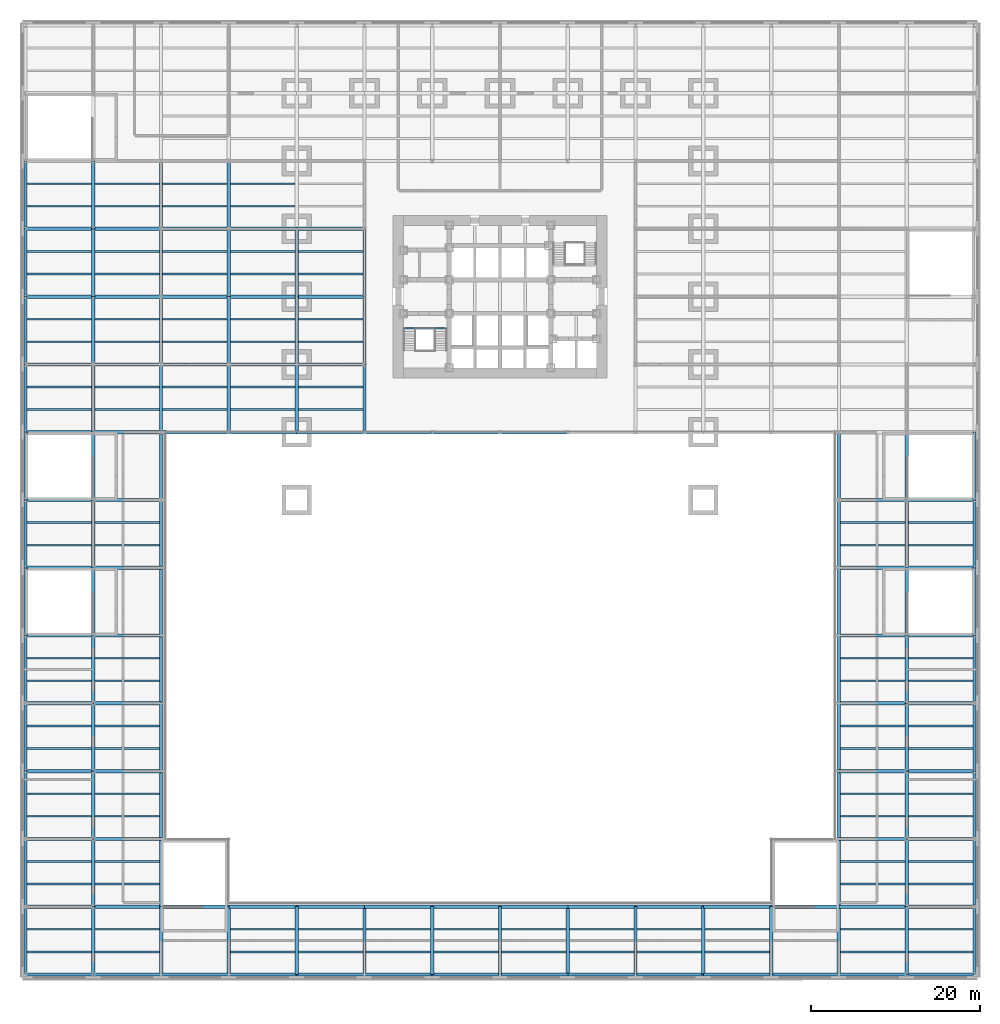
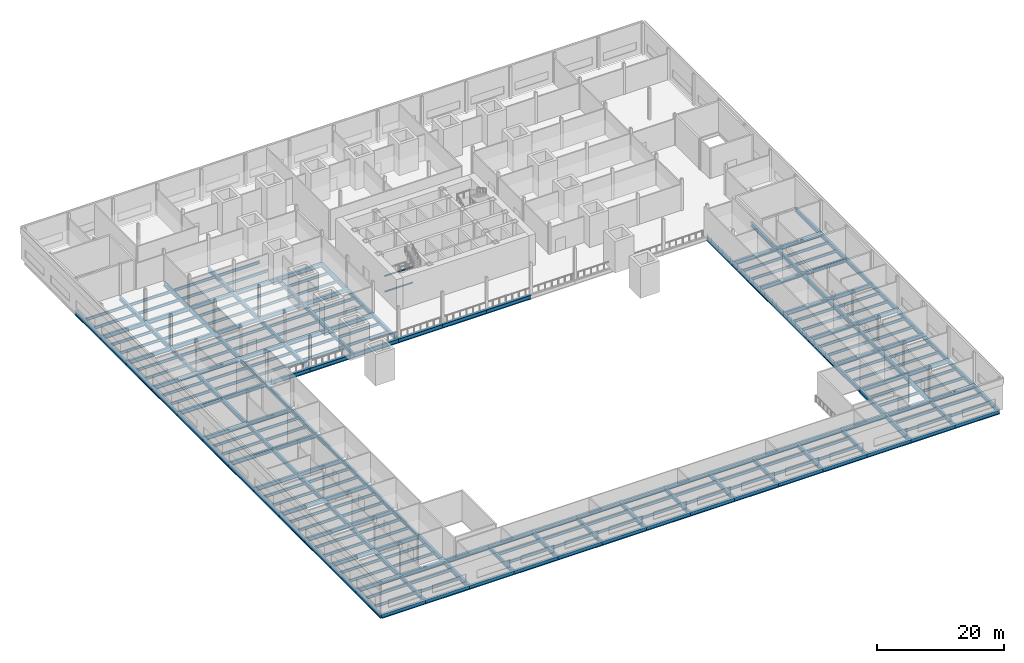
# One storey, part 8 of 21: 258 beams.
"""IFC4 building model written with IfcOpenShell, lengths in metres."""

import ifcopenshell
import ifcopenshell.guid

model = None  # the IFC model being written
_history = None  # IfcOwnerHistory: only IFC2X3 demands one
_inside = {}  # id of a spatial element -> (the spatial element, [elements in it])
_under = {}  # id of a project, library or spatial element -> (it, [spatial elements below it])
_declared = {}  # id of a project -> (the project, [libraries it declares])
_typed = {}  # id of a type object -> (the type object, [elements of that type])
_made_of = {}  # id of a material, layer set ... -> (it, [elements and type objects made of it])


def new_model(schema):
    """Start an empty IFC model of exactly this schema.

    Asked for "IFC4X3", IfcOpenShell would pick the latest addendum, in which some entities
    have other attributes; the version numbers below select the first issue.
    IFC2X3 requires an IfcOwnerHistory on every rooted entity: one is made here for all.
    """
    global model, _history
    if schema == "IFC4X3":
        model = ifcopenshell.file(schema_version=(4, 3, 0, 0))
    else:
        model = ifcopenshell.file(schema=schema)
    _inside.clear()
    _under.clear()
    _declared.clear()
    _typed.clear()
    _made_of.clear()
    _history = None
    if model.schema == "IFC2X3":
        org = make("IfcOrganization", Name="unknown")
        user = make(
            "IfcPersonAndOrganization",
            ThePerson=make("IfcPerson", FamilyName="unknown"),
            TheOrganization=org,
        )
        app = make(
            "IfcApplication",
            ApplicationDeveloper=org,
            Version="unknown",
            ApplicationFullName="unknown",
            ApplicationIdentifier="unknown",
        )
        _history = make(
            "IfcOwnerHistory",
            OwningUser=user,
            OwningApplication=app,
            ChangeAction="ADDED",
            CreationDate=0,
        )
    return model


def make(cls, **values):
    """One entity of the class cls with the attributes given. An attribute that is None is left unset."""
    return model.create_entity(
        cls, **{name: value for name, value in values.items() if value is not None}
    )


def rooted(cls, **values):
    """An entity with a GlobalId (a new one), such as an element, a storey or a relation."""
    return make(cls, GlobalId=ifcopenshell.guid.new(), OwnerHistory=_history, **values)


def si_unit(unit_type, name, prefix=None):
    """IfcSIUnit, for example si_unit("LENGTHUNIT", "METRE", prefix="MILLI")."""
    return make("IfcSIUnit", UnitType=unit_type, Prefix=prefix, Name=name)


def assignment(units):
    """IfcUnitAssignment: the units of a project."""
    return None if units is None else make("IfcUnitAssignment", Units=units)


def point(xyz):
    """IfcCartesianPoint."""
    return None if xyz is None else make("IfcCartesianPoint", Coordinates=xyz)


def direction(xyz):
    """IfcDirection."""
    return None if xyz is None else make("IfcDirection", DirectionRatios=xyz)


def frame(location, z_axis=None, x_axis=None):
    """IfcAxis2Placement3D, a coordinate frame: its origin and axes. An axis left out is left unset."""
    return make(
        "IfcAxis2Placement3D",
        Location=point(location),
        Axis=direction(z_axis),
        RefDirection=direction(x_axis),
    )


def frame_2d(location, x_axis=None):
    """IfcAxis2Placement2D, a coordinate frame in the plane: its origin and x axis."""
    return make(
        "IfcAxis2Placement2D", Location=point(location), RefDirection=direction(x_axis)
    )


def origin():
    """The frame at (0, 0, 0) with its axes left unset."""
    return frame((0.0, 0.0, 0.0))


def origin_2d():
    """The frame at (0, 0) in the plane with its x axis left unset."""
    return frame_2d((0.0, 0.0))


def place(relative_to, where):
    """IfcLocalPlacement: puts the frame where relative to a parent placement (None: the world)."""
    return make(
        "IfcLocalPlacement", PlacementRelTo=relative_to, RelativePlacement=where
    )


def context(
    kind, dimensions, precision=None, world=None, true_north=None, identifier=None
):
    """IfcGeometricRepresentationContext, for example the 3D "Model" context."""
    return make(
        "IfcGeometricRepresentationContext",
        ContextIdentifier=identifier,
        ContextType=kind,
        CoordinateSpaceDimension=dimensions,
        Precision=precision,
        WorldCoordinateSystem=world,
        TrueNorth=true_north,
    )


def subcontext(parent, identifier, kind, view, scale=None):
    """IfcGeometricRepresentationSubContext, for example "Body" below "Model"."""
    return make(
        "IfcGeometricRepresentationSubContext",
        ContextIdentifier=identifier,
        ContextType=kind,
        ParentContext=parent,
        TargetScale=scale,
        TargetView=view,
    )


def project(units=None, contexts=None):
    """IfcProject with its units and contexts."""
    return rooted(
        "IfcProject",
        Name="project",
        RepresentationContexts=contexts,
        UnitsInContext=assignment(units),
    )


def spatial(cls, under=None, at=None, **own):
    """A site, building, storey or space (cls), placed at a placement, below another one or the project."""
    s = rooted(cls, ObjectPlacement=at, **own)
    if under is not None:
        _under.setdefault(under.id(), (under, []))[1].append(s)
    return s


def profile(cls, at=None, kind="AREA", **sizes):
    """A parametric profile (cls). Its sizes go by their IFC names, for example OverallWidth=200.0."""
    return make(cls, ProfileType=kind, Position=at, **sizes)


def i_section(**sizes):
    """IfcIShapeProfileDef."""
    return profile("IfcIShapeProfileDef", **sizes)


def extrude(swept, where, along, depth):
    """IfcExtrudedAreaSolid: the profile swept, set in the frame where, extruded along a direction by depth."""
    return make(
        "IfcExtrudedAreaSolid",
        SweptArea=swept,
        Position=where,
        ExtrudedDirection=direction(along),
        Depth=depth,
    )


def shape(context_of_items, identifier, shape_type, items):
    """IfcShapeRepresentation: the items that make up one representation, for example the "Body"."""
    return make(
        "IfcShapeRepresentation",
        ContextOfItems=context_of_items,
        RepresentationIdentifier=identifier,
        RepresentationType=shape_type,
        Items=items,
    )


def material(Name=None, Category=None):
    """IfcMaterial."""
    return make("IfcMaterial", Name=Name, Category=Category)


def material_profile(
    of_material, cross_section, Name=None, Category=None, Priority=None
):
    """IfcMaterialProfile: a cross section and its material."""
    return make(
        "IfcMaterialProfile",
        Name=Name,
        Material=of_material,
        Profile=cross_section,
        Priority=Priority,
        Category=Category,
    )


def profile_set(profiles, Name=None, composite=None):
    """IfcMaterialProfileSet."""
    return make(
        "IfcMaterialProfileSet",
        Name=Name,
        MaterialProfiles=profiles,
        CompositeProfile=composite,
    )


def made_of(thing, what):
    """Note that an element or type object is made of a material, layer set ...; save() writes the relation."""
    if what is not None:
        _made_of.setdefault(what.id(), (what, []))[1].append(thing)
    return thing


def type_object(cls, material=None, **own):
    """A type object (cls), such as IfcWallType, which elements share."""
    return made_of(rooted(cls, **own), material)


def element(
    cls,
    number,
    at=None,
    inside=None,
    cuts=None,
    type_object=None,
    material=None,
    context=None,
    identifier="Body",
    shape_type=None,
    held_by="IfcProductDefinitionShape",
    body=None,
    shapes=None,
    **own,
):
    """One element of the class cls, such as IfcWall. Its Tag is "e" and its number.

    at: its placement. inside: the storey or other place that contains it. cuts: it is an
    opening in that element (IfcRelVoidsElement). A single representation is given by context,
    identifier, shape_type and body (its items); several are given by shapes. held_by: the class
    of the entity that holds the representations. save() writes the other relations.
    """
    e = rooted(cls, Tag="e%d" % number, ObjectPlacement=at, **own)
    if body is not None:
        shapes = [shape(context, identifier, shape_type, body)]
    if shapes is not None:
        e.Representation = make(held_by, Representations=shapes)
    if inside is not None:
        _inside.setdefault(inside.id(), (inside, []))[1].append(e)
    if cuts is not None:
        rooted(
            "IfcRelVoidsElement", RelatingBuildingElement=cuts, RelatedOpeningElement=e
        )
    if type_object is not None:
        _typed.setdefault(type_object.id(), (type_object, []))[1].append(e)
    return made_of(e, material)


def aggregate(whole, parts):
    """IfcRelAggregates: a whole, such as a stair, and the parts it consists of."""
    return rooted("IfcRelAggregates", RelatingObject=whole, RelatedObjects=parts)


def save(model, path):
    """Write the relations noted so far, then the file.

    IfcRelAggregates (storeys below a building ...), IfcRelContainedInSpatialStructure (elements
    in a storey), IfcRelDefinesByType, IfcRelAssociatesMaterial and IfcRelDeclares: one each for
    every whole, place, type object, material and project.
    """
    for whole, parts in _under.values():
        aggregate(whole, parts)
    for where, things in _inside.values():
        rooted(
            "IfcRelContainedInSpatialStructure",
            RelatedElements=things,
            RelatingStructure=where,
        )
    for kind, things in _typed.values():
        rooted("IfcRelDefinesByType", RelatedObjects=things, RelatingType=kind)
    for what, things in _made_of.values():
        rooted("IfcRelAssociatesMaterial", RelatedObjects=things, RelatingMaterial=what)
    for by, libraries in _declared.values():
        rooted("IfcRelDeclares", RelatingContext=by, RelatedDefinitions=libraries)
    model.write(path)


model = new_model("IFC4")

# Units and contexts
model_context = context("Model", 3, precision=1e-05, world=origin(), true_north=direction((0.0, 1.0)))
body_context = subcontext(model_context, "Body", "Model", "MODEL_VIEW")
ifc_project = project(units=[si_unit("LENGTHUNIT", "METRE"), si_unit("AREAUNIT", "SQUARE_METRE"), si_unit("VOLUMEUNIT", "CUBIC_METRE"), si_unit("PLANEANGLEUNIT", "RADIAN"), si_unit("MASSUNIT", "GRAM", prefix="KILO")], contexts=[model_context])

# Site, building, storey
site_placement = place(None, origin())
site = spatial("IfcSite", under=ifc_project, at=site_placement, CompositionType="ELEMENT")
building_placement = place(site_placement, origin())
building = spatial("IfcBuilding", under=site, at=building_placement, Name="Daluyong Arena Tower", CompositionType="ELEMENT")
storey_placement = place(building_placement, frame((0.0, 0.0, 19.89990234375)))
storey = spatial("IfcBuildingStorey", under=building, at=storey_placement, Name="L04", CompositionType="ELEMENT", Elevation=19.89990234375)

# Beams
ifc_material_1 = material(Name="Steel ASTM A992 Grade 50", Category="steel")
ifc_material_profile_1 = material_profile(ifc_material_1, i_section(OverallWidth=0.209228515625, OverallDepth=0.533447265625, WebThickness=0.01025390625, FlangeThickness=0.015625, at=origin_2d()))
ifc_profile_set_1 = profile_set([ifc_material_profile_1], Name="Steel ASTM A992 Grade 50")
beam_type_1 = type_object("IfcBeamType", Name="Podium floor beam W21X62", PredefinedType="BEAM", material=ifc_profile_set_1)
for number, where, z_axis, x_axis, name in (
    (1, (0.1904296875, 2.666748046875, -0.466552734375), (1.0, 0.0, 0.0), (0.0, 1.0, 0.0), "podium floor beam PB1"),
    (2, (0.1904296875, 5.333251953125, -0.466552734375), (1.0, 0.0, 0.0), (0.0, 1.0, 0.0), "podium floor beam PB1"),
    (3, (0.1904296875, 10.666748046875, -0.466552734375), (1.0, 0.0, 0.0), (0.0, 1.0, 0.0), "podium floor beam PB1"),
    (4, (0.1904296875, 13.333251953125, -0.466552734375), (1.0, 0.0, 0.0), (0.0, 1.0, 0.0), "podium floor beam PB1"),
    (5, (0.1904296875, 18.666748046875, -0.466552734375), (1.0, 0.0, 0.0), (0.0, 1.0, 0.0), "podium floor beam PB1"),
    (6, (0.1904296875, 21.333251953125, -0.466552734375), (1.0, 0.0, 0.0), (0.0, 1.0, 0.0), "podium floor beam PB1"),
    (7, (0.1904296875, 26.666748046875, -0.466552734375), (1.0, 0.0, 0.0), (0.0, 1.0, 0.0), "podium floor beam PB1"),
    (8, (0.1904296875, 29.333251953125, -0.466552734375), (1.0, 0.0, 0.0), (0.0, 1.0, 0.0), "podium floor beam PB1"),
    (9, (0.1904296875, 34.666748046875, -0.466552734375), (1.0, 0.0, 0.0), (0.0, 1.0, 0.0), "podium floor beam PB1"),
    (10, (0.1904296875, 37.333251953125, -0.466552734375), (1.0, 0.0, 0.0), (0.0, 1.0, 0.0), "podium floor beam PB1"),
    (11, (0.1904296875, 50.666748046875, -0.466552734375), (1.0, 0.0, 0.0), (0.0, 1.0, 0.0), "podium floor beam PB1"),
    (12, (0.1904296875, 53.333251953125, -0.466552734375), (1.0, 0.0, 0.0), (0.0, 1.0, 0.0), "podium floor beam PB1"),
    (13, (0.1904296875, 66.666748046875, -0.466552734375), (1.0, 0.0, 0.0), (0.0, 1.0, 0.0), "podium floor beam PB1"),
    (14, (0.1904296875, 69.333251953125, -0.466552734375), (1.0, 0.0, 0.0), (0.0, 1.0, 0.0), "podium floor beam PB1"),
    (15, (0.1904296875, 74.666748046875, -0.466552734375), (1.0, 0.0, 0.0), (0.0, 1.0, 0.0), "podium floor beam PB1"),
    (16, (0.1904296875, 77.333251953125, -0.466552734375), (1.0, 0.0, 0.0), (0.0, 1.0, 0.0), "podium floor beam PB1"),
    (17, (0.1904296875, 82.666748046875, -0.466552734375), (1.0, 0.0, 0.0), (0.0, 1.0, 0.0), "podium floor beam PB1"),
    (18, (0.1904296875, 85.333251953125, -0.466552734375), (1.0, 0.0, 0.0), (0.0, 1.0, 0.0), "podium floor beam PB1"),
    (19, (0.1904296875, 90.666748046875, -0.466552734375), (1.0, 0.0, 0.0), (0.0, 1.0, 0.0), "podium floor beam PB1"),
    (20, (0.1904296875, 93.333251953125, -0.466552734375), (1.0, 0.0, 0.0), (0.0, 1.0, 0.0), "podium floor beam PB1"),
):
    element("IfcBeam", number, at=place(storey_placement, frame(where, z_axis=z_axis, x_axis=x_axis)), inside=storey, type_object=beam_type_1, Name=name, PredefinedType="BEAM", context=body_context, shape_type="SweptSolid", body=[
        extrude(i_section(OverallWidth=0.209228515625, OverallDepth=0.533447265625, WebThickness=0.01025390625, FlangeThickness=0.015625, at=origin_2d()), origin(), (0.0, 0.0, 1.0), 7.619140625),
    ])
for number, where, z_axis, x_axis, name in (
    (21, (8.1904296875, 2.666748046875, -0.466552734375), (1.0, 0.0, 0.0), (0.0, 1.0, 0.0), "podium floor beam PB1"),
    (22, (8.1904296875, 5.333251953125, -0.466552734375), (1.0, 0.0, 0.0), (0.0, 1.0, 0.0), "podium floor beam PB1"),
    (23, (8.1904296875, 10.666748046875, -0.466552734375), (1.0, 0.0, 0.0), (0.0, 1.0, 0.0), "podium floor beam PB1"),
    (24, (8.1904296875, 13.333251953125, -0.466552734375), (1.0, 0.0, 0.0), (0.0, 1.0, 0.0), "podium floor beam PB1"),
):
    element("IfcBeam", number, at=place(storey_placement, frame(where, z_axis=z_axis, x_axis=x_axis)), inside=storey, type_object=beam_type_1, Name=name, PredefinedType="BEAM", context=body_context, shape_type="SweptSolid", body=[
        extrude(i_section(OverallWidth=0.209228515625, OverallDepth=0.533447265625, WebThickness=0.01025390625, FlangeThickness=0.015625, at=origin_2d()), origin(), (0.0, 0.0, 1.0), 7.610107421875),
    ])
for number, where, z_axis, x_axis, name in (
    (25, (8.1904296875, 18.666748046875, -0.466552734375), (1.0, 0.0, 0.0), (0.0, 1.0, 0.0), "podium floor beam PB1"),
    (26, (8.1904296875, 21.333251953125, -0.466552734375), (1.0, 0.0, 0.0), (0.0, 1.0, 0.0), "podium floor beam PB1"),
    (27, (8.1904296875, 26.666748046875, -0.466552734375), (1.0, 0.0, 0.0), (0.0, 1.0, 0.0), "podium floor beam PB1"),
    (28, (8.1904296875, 29.333251953125, -0.466552734375), (1.0, 0.0, 0.0), (0.0, 1.0, 0.0), "podium floor beam PB1"),
    (29, (8.1904296875, 34.666748046875, -0.466552734375), (1.0, 0.0, 0.0), (0.0, 1.0, 0.0), "podium floor beam PB1"),
    (30, (8.1904296875, 37.333251953125, -0.466552734375), (1.0, 0.0, 0.0), (0.0, 1.0, 0.0), "podium floor beam PB1"),
    (31, (8.1904296875, 50.666748046875, -0.466552734375), (1.0, 0.0, 0.0), (0.0, 1.0, 0.0), "podium floor beam PB1"),
    (32, (8.1904296875, 53.333251953125, -0.466552734375), (1.0, 0.0, 0.0), (0.0, 1.0, 0.0), "podium floor beam PB1"),
    (33, (8.1904296875, 66.666748046875, -0.466552734375), (1.0, 0.0, 0.0), (0.0, 1.0, 0.0), "podium floor beam PB1"),
    (34, (8.1904296875, 69.333251953125, -0.466552734375), (1.0, 0.0, 0.0), (0.0, 1.0, 0.0), "podium floor beam PB1"),
    (35, (8.1904296875, 74.666748046875, -0.466552734375), (1.0, 0.0, 0.0), (0.0, 1.0, 0.0), "podium floor beam PB1"),
    (36, (8.1904296875, 77.333251953125, -0.466552734375), (1.0, 0.0, 0.0), (0.0, 1.0, 0.0), "podium floor beam PB1"),
    (37, (8.1904296875, 82.666748046875, -0.466552734375), (1.0, 0.0, 0.0), (0.0, 1.0, 0.0), "podium floor beam PB1"),
    (38, (8.1904296875, 85.333251953125, -0.466552734375), (1.0, 0.0, 0.0), (0.0, 1.0, 0.0), "podium floor beam PB1"),
    (39, (8.1904296875, 90.666748046875, -0.466552734375), (1.0, 0.0, 0.0), (0.0, 1.0, 0.0), "podium floor beam PB1"),
    (40, (8.1904296875, 93.333251953125, -0.466552734375), (1.0, 0.0, 0.0), (0.0, 1.0, 0.0), "podium floor beam PB1"),
    (41, (16.1904296875, 66.666748046875, -0.466552734375), (1.0, 0.0, 0.0), (0.0, 1.0, 0.0), "podium floor beam PB1"),
    (42, (16.1904296875, 69.333251953125, -0.466552734375), (1.0, 0.0, 0.0), (0.0, 1.0, 0.0), "podium floor beam PB1"),
    (43, (16.1904296875, 74.666748046875, -0.466552734375), (1.0, 0.0, 0.0), (0.0, 1.0, 0.0), "podium floor beam PB1"),
    (44, (16.1904296875, 77.333251953125, -0.466552734375), (1.0, 0.0, 0.0), (0.0, 1.0, 0.0), "podium floor beam PB1"),
    (45, (16.1904296875, 82.666748046875, -0.466552734375), (1.0, 0.0, 0.0), (0.0, 1.0, 0.0), "podium floor beam PB1"),
    (46, (16.1904296875, 85.333251953125, -0.466552734375), (1.0, 0.0, 0.0), (0.0, 1.0, 0.0), "podium floor beam PB1"),
    (47, (16.1904296875, 90.666748046875, -0.466552734375), (1.0, 0.0, 0.0), (0.0, 1.0, 0.0), "podium floor beam PB1"),
    (48, (16.1904296875, 93.333251953125, -0.466552734375), (1.0, 0.0, 0.0), (0.0, 1.0, 0.0), "podium floor beam PB1"),
    (49, (24.1904296875, 2.666748046875, -0.466552734375), (1.0, 0.0, 0.0), (0.0, 1.0, 0.0), "podium floor beam PB1"),
    (50, (24.1904296875, 5.333251953125, -0.466552734375), (1.0, 0.0, 0.0), (0.0, 1.0, 0.0), "podium floor beam PB1"),
    (51, (24.1904296875, 66.666748046875, -0.466552734375), (1.0, 0.0, 0.0), (0.0, 1.0, 0.0), "podium floor beam PB1"),
    (52, (24.1904296875, 69.333251953125, -0.466552734375), (1.0, 0.0, 0.0), (0.0, 1.0, 0.0), "podium floor beam PB1"),
    (53, (24.1904296875, 74.666748046875, -0.466552734375), (1.0, 0.0, 0.0), (0.0, 1.0, 0.0), "podium floor beam PB1"),
    (54, (24.1904296875, 77.333251953125, -0.466552734375), (1.0, 0.0, 0.0), (0.0, 1.0, 0.0), "podium floor beam PB1"),
    (55, (24.1904296875, 82.666748046875, -0.466552734375), (1.0, 0.0, 0.0), (0.0, 1.0, 0.0), "podium floor beam PB1"),
    (56, (24.1904296875, 85.333251953125, -0.466552734375), (1.0, 0.0, 0.0), (0.0, 1.0, 0.0), "podium floor beam PB1"),
    (57, (24.1904296875, 90.666748046875, -0.466552734375), (1.0, 0.0, 0.0), (0.0, 1.0, 0.0), "podium floor beam PB1"),
    (58, (24.1904296875, 93.333251953125, -0.466552734375), (1.0, 0.0, 0.0), (0.0, 1.0, 0.0), "podium floor beam PB1"),
    (59, (32.1904296875, 2.666748046875, -0.466552734375), (1.0, 0.0, 0.0), (0.0, 1.0, 0.0), "podium floor beam PB1"),
    (60, (32.1904296875, 5.333251953125, -0.466552734375), (1.0, 0.0, 0.0), (0.0, 1.0, 0.0), "podium floor beam PB1"),
    (61, (32.1904296875, 66.666748046875, -0.466552734375), (1.0, 0.0, 0.0), (0.0, 1.0, 0.0), "podium floor beam PB1"),
    (62, (32.1904296875, 69.333251953125, -0.466552734375), (1.0, 0.0, 0.0), (0.0, 1.0, 0.0), "podium floor beam PB1"),
    (63, (32.1904296875, 74.666748046875, -0.466552734375), (1.0, 0.0, 0.0), (0.0, 1.0, 0.0), "podium floor beam PB1"),
    (64, (32.1904296875, 77.333251953125, -0.466552734375), (1.0, 0.0, 0.0), (0.0, 1.0, 0.0), "podium floor beam PB1"),
    (65, (32.1904296875, 82.666748046875, -0.466552734375), (1.0, 0.0, 0.0), (0.0, 1.0, 0.0), "podium floor beam PB1"),
    (66, (32.1904296875, 85.333251953125, -0.466552734375), (1.0, 0.0, 0.0), (0.0, 1.0, 0.0), "podium floor beam PB1"),
    (67, (40.1904296875, 2.666748046875, -0.466552734375), (1.0, 0.0, 0.0), (0.0, 1.0, 0.0), "podium floor beam PB1"),
    (68, (40.1904296875, 5.333251953125, -0.466552734375), (1.0, 0.0, 0.0), (0.0, 1.0, 0.0), "podium floor beam PB1"),
    (69, (48.1904296875, 2.666748046875, -0.466552734375), (1.0, 0.0, 0.0), (0.0, 1.0, 0.0), "podium floor beam PB1"),
    (70, (48.1904296875, 5.333251953125, -0.466552734375), (1.0, 0.0, 0.0), (0.0, 1.0, 0.0), "podium floor beam PB1"),
    (71, (56.1904296875, 2.666748046875, -0.466552734375), (1.0, 0.0, 0.0), (0.0, 1.0, 0.0), "podium floor beam PB1"),
    (72, (56.1904296875, 5.333251953125, -0.466552734375), (1.0, 0.0, 0.0), (0.0, 1.0, 0.0), "podium floor beam PB1"),
    (73, (64.1904296875, 2.666748046875, -0.466552734375), (1.0, 0.0, 0.0), (0.0, 1.0, 0.0), "podium floor beam PB1"),
    (74, (64.1904296875, 5.333251953125, -0.466552734375), (1.0, 0.0, 0.0), (0.0, 1.0, 0.0), "podium floor beam PB1"),
    (75, (72.1904296875, 2.666748046875, -0.466552734375), (1.0, 0.0, 0.0), (0.0, 1.0, 0.0), "podium floor beam PB1"),
    (76, (72.1904296875, 5.333251953125, -0.466552734375), (1.0, 0.0, 0.0), (0.0, 1.0, 0.0), "podium floor beam PB1"),
    (77, (80.1904296875, 2.666748046875, -0.466552734375), (1.0, 0.0, 0.0), (0.0, 1.0, 0.0), "podium floor beam PB1"),
    (78, (80.1904296875, 5.333251953125, -0.466552734375), (1.0, 0.0, 0.0), (0.0, 1.0, 0.0), "podium floor beam PB1"),
):
    element("IfcBeam", number, at=place(storey_placement, frame(where, z_axis=z_axis, x_axis=x_axis)), inside=storey, type_object=beam_type_1, Name=name, PredefinedType="BEAM", context=body_context, shape_type="SweptSolid", body=[
        extrude(i_section(OverallWidth=0.209228515625, OverallDepth=0.533447265625, WebThickness=0.01025390625, FlangeThickness=0.015625, at=origin_2d()), origin(), (0.0, 0.0, 1.0), 7.619140625),
    ])
for number, where, z_axis, x_axis, name in (
    (79, (96.199462890625, 2.666748046875, -0.466552734375), (1.0, 0.0, 0.0), (0.0, 1.0, 0.0), "podium floor beam PB1"),
    (80, (96.199462890625, 5.333251953125, -0.466552734375), (1.0, 0.0, 0.0), (0.0, 1.0, 0.0), "podium floor beam PB1"),
    (81, (96.199462890625, 10.666748046875, -0.466552734375), (1.0, 0.0, 0.0), (0.0, 1.0, 0.0), "podium floor beam PB1"),
    (82, (96.199462890625, 13.333251953125, -0.466552734375), (1.0, 0.0, 0.0), (0.0, 1.0, 0.0), "podium floor beam PB1"),
):
    element("IfcBeam", number, at=place(storey_placement, frame(where, z_axis=z_axis, x_axis=x_axis)), inside=storey, type_object=beam_type_1, Name=name, PredefinedType="BEAM", context=body_context, shape_type="SweptSolid", body=[
        extrude(i_section(OverallWidth=0.209228515625, OverallDepth=0.533447265625, WebThickness=0.01025390625, FlangeThickness=0.015625, at=origin_2d()), origin(), (0.0, 0.0, 1.0), 7.610107421875),
    ])
for number, where, z_axis, x_axis, name in (
    (83, (96.1904296875, 18.666748046875, -0.466552734375), (1.0, 0.0, 0.0), (0.0, 1.0, 0.0), "podium floor beam PB1"),
    (84, (96.1904296875, 21.333251953125, -0.466552734375), (1.0, 0.0, 0.0), (0.0, 1.0, 0.0), "podium floor beam PB1"),
    (85, (96.1904296875, 26.666748046875, -0.466552734375), (1.0, 0.0, 0.0), (0.0, 1.0, 0.0), "podium floor beam PB1"),
    (86, (96.1904296875, 29.333251953125, -0.466552734375), (1.0, 0.0, 0.0), (0.0, 1.0, 0.0), "podium floor beam PB1"),
    (87, (96.1904296875, 34.666748046875, -0.466552734375), (1.0, 0.0, 0.0), (0.0, 1.0, 0.0), "podium floor beam PB1"),
    (88, (96.1904296875, 37.333251953125, -0.466552734375), (1.0, 0.0, 0.0), (0.0, 1.0, 0.0), "podium floor beam PB1"),
    (89, (96.1904296875, 50.666748046875, -0.466552734375), (1.0, 0.0, 0.0), (0.0, 1.0, 0.0), "podium floor beam PB1"),
    (90, (96.1904296875, 53.333251953125, -0.466552734375), (1.0, 0.0, 0.0), (0.0, 1.0, 0.0), "podium floor beam PB1"),
    (91, (104.1904296875, 2.666748046875, -0.466552734375), (1.0, 0.0, 0.0), (0.0, 1.0, 0.0), "podium floor beam PB1"),
    (92, (104.1904296875, 5.333251953125, -0.466552734375), (1.0, 0.0, 0.0), (0.0, 1.0, 0.0), "podium floor beam PB1"),
    (93, (104.1904296875, 10.666748046875, -0.466552734375), (1.0, 0.0, 0.0), (0.0, 1.0, 0.0), "podium floor beam PB1"),
    (94, (104.1904296875, 13.333251953125, -0.466552734375), (1.0, 0.0, 0.0), (0.0, 1.0, 0.0), "podium floor beam PB1"),
    (95, (104.1904296875, 18.666748046875, -0.466552734375), (1.0, 0.0, 0.0), (0.0, 1.0, 0.0), "podium floor beam PB1"),
    (96, (104.1904296875, 21.333251953125, -0.466552734375), (1.0, 0.0, 0.0), (0.0, 1.0, 0.0), "podium floor beam PB1"),
    (97, (104.1904296875, 26.666748046875, -0.466552734375), (1.0, 0.0, 0.0), (0.0, 1.0, 0.0), "podium floor beam PB1"),
    (98, (104.1904296875, 29.333251953125, -0.466552734375), (1.0, 0.0, 0.0), (0.0, 1.0, 0.0), "podium floor beam PB1"),
    (99, (104.1904296875, 34.666748046875, -0.466552734375), (1.0, 0.0, 0.0), (0.0, 1.0, 0.0), "podium floor beam PB1"),
    (100, (104.1904296875, 37.333251953125, -0.466552734375), (1.0, 0.0, 0.0), (0.0, 1.0, 0.0), "podium floor beam PB1"),
    (101, (104.1904296875, 50.666748046875, -0.466552734375), (1.0, 0.0, 0.0), (0.0, 1.0, 0.0), "podium floor beam PB1"),
    (102, (104.1904296875, 53.333251953125, -0.466552734375), (1.0, 0.0, 0.0), (0.0, 1.0, 0.0), "podium floor beam PB1"),
):
    element("IfcBeam", number, at=place(storey_placement, frame(where, z_axis=z_axis, x_axis=x_axis)), inside=storey, type_object=beam_type_1, Name=name, PredefinedType="BEAM", context=body_context, shape_type="SweptSolid", body=[
        extrude(i_section(OverallWidth=0.209228515625, OverallDepth=0.533447265625, WebThickness=0.01025390625, FlangeThickness=0.015625, at=origin_2d()), origin(), (0.0, 0.0, 1.0), 7.619140625),
    ])
ifc_material_2 = material(Name="Steel ASTM A992 Grade 50", Category="steel")
ifc_material_profile_2 = material_profile(ifc_material_2, i_section(OverallWidth=0.381103515625, OverallDepth=0.772216796875, WebThickness=0.0166015625, FlangeThickness=0.027099609375, at=origin_2d()))
ifc_profile_set_2 = profile_set([ifc_material_profile_2], Name="Steel ASTM A992 Grade 50")
beam_type_2 = type_object("IfcBeamType", Name="Podium girder W30X173", PredefinedType="BEAM", material=ifc_profile_set_2)
for number, where, z_axis, x_axis, name in (
    (103, (0.0, 0.0, -0.5859375), (1.0, 0.0, 0.0), (0.0, 1.0, 0.0), "podium girder PG1"),
    (104, (0.0, 0.0, -0.5859375), (0.0, 1.0, 0.0), (-1.0, 0.0, 0.0), "podium girder PG1"),
    (105, (0.0, 8.0, -0.5859375), (1.0, 0.0, 0.0), (0.0, 1.0, 0.0), "podium girder PG1"),
    (106, (0.0, 8.0, -0.5859375), (0.0, 1.0, 0.0), (-1.0, 0.0, 0.0), "podium girder PG1"),
    (107, (0.0, 16.0, -0.5859375), (1.0, 0.0, 0.0), (0.0, 1.0, 0.0), "podium girder PG1"),
    (108, (0.0, 16.0, -0.5859375), (0.0, 1.0, 0.0), (-1.0, 0.0, 0.0), "podium girder PG1"),
    (109, (0.0, 24.0, -0.5859375), (1.0, 0.0, 0.0), (0.0, 1.0, 0.0), "podium girder PG1"),
    (110, (0.0, 24.0, -0.5859375), (0.0, 1.0, 0.0), (-1.0, 0.0, 0.0), "podium girder PG1"),
    (111, (0.0, 32.0, -0.5859375), (1.0, 0.0, 0.0), (0.0, 1.0, 0.0), "podium girder PG1"),
    (112, (0.0, 32.0, -0.5859375), (0.0, 1.0, 0.0), (-1.0, 0.0, 0.0), "podium girder PG1"),
    (113, (0.0, 40.0, -0.5859375), (1.0, 0.0, 0.0), (0.0, 1.0, 0.0), "podium girder PG1"),
    (114, (0.0, 40.0, -0.5859375), (0.0, 1.0, 0.0), (-1.0, 0.0, 0.0), "podium girder PG1"),
    (115, (0.0, 48.0, -0.5859375), (1.0, 0.0, 0.0), (0.0, 1.0, 0.0), "podium girder PG1"),
    (116, (0.0, 48.0, -0.5859375), (0.0, 1.0, 0.0), (-1.0, 0.0, 0.0), "podium girder PG1"),
    (117, (0.0, 56.0, -0.5859375), (1.0, 0.0, 0.0), (0.0, 1.0, 0.0), "podium girder PG1"),
    (118, (0.0, 56.0, -0.5859375), (0.0, 1.0, 0.0), (-1.0, 0.0, 0.0), "podium girder PG1"),
    (119, (0.0, 64.0, -0.5859375), (1.0, 0.0, 0.0), (0.0, 1.0, 0.0), "podium girder PG1"),
    (120, (0.0, 64.0, -0.5859375), (0.0, 1.0, 0.0), (-1.0, 0.0, 0.0), "podium girder PG1"),
    (121, (0.0, 72.0, -0.5859375), (1.0, 0.0, 0.0), (0.0, 1.0, 0.0), "podium girder PG1"),
    (122, (0.0, 72.0, -0.5859375), (0.0, 1.0, 0.0), (-1.0, 0.0, 0.0), "podium girder PG1"),
    (123, (0.0, 80.0, -0.5859375), (1.0, 0.0, 0.0), (0.0, 1.0, 0.0), "podium girder PG1"),
    (124, (0.0, 80.0, -0.5859375), (0.0, 1.0, 0.0), (-1.0, 0.0, 0.0), "podium girder PG1"),
    (125, (0.0, 88.0, -0.5859375), (1.0, 0.0, 0.0), (0.0, 1.0, 0.0), "podium girder PG1"),
    (126, (0.0, 88.0, -0.5859375), (0.0, 1.0, 0.0), (-1.0, 0.0, 0.0), "podium girder PG1"),
    (127, (8.0, 0.0, -0.5859375), (1.0, 0.0, 0.0), (0.0, 1.0, 0.0), "podium girder PG1"),
    (128, (8.0, 0.0, -0.5859375), (0.0, 1.0, 0.0), (-1.0, 0.0, 0.0), "podium girder PG1"),
    (129, (8.0, 8.0, -0.5859375), (0.0, 1.0, 0.0), (-1.0, 0.0, 0.0), "podium girder PG1"),
    (130, (8.0, 16.0, -0.5859375), (1.0, 0.0, 0.0), (0.0, 1.0, 0.0), "podium girder PG1"),
    (131, (8.0, 16.0, -0.5859375), (0.0, 1.0, 0.0), (-1.0, 0.0, 0.0), "podium girder PG1"),
    (132, (8.0, 24.0, -0.5859375), (1.0, 0.0, 0.0), (0.0, 1.0, 0.0), "podium girder PG1"),
    (133, (8.0, 24.0, -0.5859375), (0.0, 1.0, 0.0), (-1.0, 0.0, 0.0), "podium girder PG1"),
    (134, (8.0, 32.0, -0.5859375), (1.0, 0.0, 0.0), (0.0, 1.0, 0.0), "podium girder PG1"),
    (135, (8.0, 32.0, -0.5859375), (0.0, 1.0, 0.0), (-1.0, 0.0, 0.0), "podium girder PG1"),
    (136, (8.0, 40.0, -0.5859375), (1.0, 0.0, 0.0), (0.0, 1.0, 0.0), "podium girder PG1"),
    (137, (8.0, 40.0, -0.5859375), (0.0, 1.0, 0.0), (-1.0, 0.0, 0.0), "podium girder PG1"),
    (138, (8.0, 48.0, -0.5859375), (1.0, 0.0, 0.0), (0.0, 1.0, 0.0), "podium girder PG1"),
    (139, (8.0, 48.0, -0.5859375), (0.0, 1.0, 0.0), (-1.0, 0.0, 0.0), "podium girder PG1"),
    (140, (8.0, 56.0, -0.5859375), (1.0, 0.0, 0.0), (0.0, 1.0, 0.0), "podium girder PG1"),
    (141, (8.0, 56.0, -0.5859375), (0.0, 1.0, 0.0), (-1.0, 0.0, 0.0), "podium girder PG1"),
    (142, (8.0, 64.0, -0.5859375), (1.0, 0.0, 0.0), (0.0, 1.0, 0.0), "podium girder PG1"),
    (143, (8.0, 64.0, -0.5859375), (0.0, 1.0, 0.0), (-1.0, 0.0, 0.0), "podium girder PG1"),
    (144, (8.0, 72.0, -0.5859375), (1.0, 0.0, 0.0), (0.0, 1.0, 0.0), "podium girder PG1"),
    (145, (8.0, 72.0, -0.5859375), (0.0, 1.0, 0.0), (-1.0, 0.0, 0.0), "podium girder PG1"),
    (146, (8.0, 80.0, -0.5859375), (1.0, 0.0, 0.0), (0.0, 1.0, 0.0), "podium girder PG1"),
    (147, (8.0, 80.0, -0.5859375), (0.0, 1.0, 0.0), (-1.0, 0.0, 0.0), "podium girder PG1"),
    (148, (8.0, 88.0, -0.5859375), (1.0, 0.0, 0.0), (0.0, 1.0, 0.0), "podium girder PG1"),
    (149, (8.0, 88.0, -0.5859375), (0.0, 1.0, 0.0), (-1.0, 0.0, 0.0), "podium girder PG1"),
    (150, (16.0, 0.0, -0.5859375), (1.0, 0.0, 0.0), (0.0, 1.0, 0.0), "podium girder PG1"),
    (151, (16.0, 16.0, -0.5859375), (0.0, 1.0, 0.0), (-1.0, 0.0, 0.0), "podium girder PG1"),
    (152, (16.0, 24.0, -0.5859375), (0.0, 1.0, 0.0), (-1.0, 0.0, 0.0), "podium girder PG1"),
    (153, (16.0, 32.0, -0.5859375), (0.0, 1.0, 0.0), (-1.0, 0.0, 0.0), "podium girder PG1"),
    (154, (16.0, 40.0, -0.5859375), (0.0, 1.0, 0.0), (-1.0, 0.0, 0.0), "podium girder PG1"),
    (155, (16.0, 48.0, -0.5859375), (0.0, 1.0, 0.0), (-1.0, 0.0, 0.0), "podium girder PG1"),
    (156, (16.0, 56.0, -0.5859375), (0.0, 1.0, 0.0), (-1.0, 0.0, 0.0), "podium girder PG1"),
    (157, (16.0, 64.0, -0.5859375), (1.0, 0.0, 0.0), (0.0, 1.0, 0.0), "podium girder PG1"),
    (158, (16.0, 64.0, -0.5859375), (0.0, 1.0, 0.0), (-1.0, 0.0, 0.0), "podium girder PG1"),
    (159, (16.0, 72.0, -0.5859375), (1.0, 0.0, 0.0), (0.0, 1.0, 0.0), "podium girder PG1"),
    (160, (16.0, 72.0, -0.5859375), (0.0, 1.0, 0.0), (-1.0, 0.0, 0.0), "podium girder PG1"),
    (161, (16.0, 80.0, -0.5859375), (1.0, 0.0, 0.0), (0.0, 1.0, 0.0), "podium girder PG1"),
    (162, (16.0, 80.0, -0.5859375), (0.0, 1.0, 0.0), (-1.0, 0.0, 0.0), "podium girder PG1"),
    (163, (16.0, 88.0, -0.5859375), (1.0, 0.0, 0.0), (0.0, 1.0, 0.0), "podium girder PG1"),
    (164, (16.0, 88.0, -0.5859375), (0.0, 1.0, 0.0), (-1.0, 0.0, 0.0), "podium girder PG1"),
    (165, (24.0, 0.0, -0.5859375), (1.0, 0.0, 0.0), (0.0, 1.0, 0.0), "podium girder PG1"),
    (166, (24.0, 0.0, -0.5859375), (0.0, 1.0, 0.0), (-1.0, 0.0, 0.0), "podium girder PG1"),
    (167, (24.0, 8.0, -0.5859375), (1.0, 0.0, 0.0), (0.0, 1.0, 0.0), "podium girder PG1"),
    (168, (24.0, 64.0, -0.5859375), (1.0, 0.0, 0.0), (0.0, 1.0, 0.0), "podium girder PG1"),
    (169, (24.0, 64.0, -0.5859375), (0.0, 1.0, 0.0), (-1.0, 0.0, 0.0), "podium girder PG1"),
    (170, (24.0, 72.0, -0.5859375), (1.0, 0.0, 0.0), (0.0, 1.0, 0.0), "podium girder PG1"),
    (171, (24.0, 72.0, -0.5859375), (0.0, 1.0, 0.0), (-1.0, 0.0, 0.0), "podium girder PG1"),
    (172, (24.0, 80.0, -0.5859375), (1.0, 0.0, 0.0), (0.0, 1.0, 0.0), "podium girder PG1"),
    (173, (24.0, 80.0, -0.5859375), (0.0, 1.0, 0.0), (-1.0, 0.0, 0.0), "podium girder PG1"),
    (174, (24.0, 88.0, -0.5859375), (1.0, 0.0, 0.0), (0.0, 1.0, 0.0), "podium girder PG1"),
    (175, (24.0, 88.0, -0.5859375), (0.0, 1.0, 0.0), (-1.0, 0.0, 0.0), "podium girder PG1"),
    (176, (32.0, 0.0, -0.5859375), (1.0, 0.0, 0.0), (0.0, 1.0, 0.0), "podium girder PG1"),
    (177, (32.0, 0.0, -0.5859375), (0.0, 1.0, 0.0), (-1.0, 0.0, 0.0), "podium girder PG1"),
    (178, (32.0, 8.0, -0.5859375), (1.0, 0.0, 0.0), (0.0, 1.0, 0.0), "podium girder PG1"),
    (179, (32.0, 64.0, -0.5859375), (1.0, 0.0, 0.0), (0.0, 1.0, 0.0), "podium girder PG1"),
    (180, (32.0, 64.0, -0.5859375), (0.0, 1.0, 0.0), (-1.0, 0.0, 0.0), "podium girder PG1"),
    (181, (32.0, 72.0, -0.5859375), (1.0, 0.0, 0.0), (0.0, 1.0, 0.0), "podium girder PG1"),
    (182, (32.0, 72.0, -0.5859375), (0.0, 1.0, 0.0), (-1.0, 0.0, 0.0), "podium girder PG1"),
    (183, (32.0, 80.0, -0.5859375), (1.0, 0.0, 0.0), (0.0, 1.0, 0.0), "podium girder PG1"),
    (184, (32.0, 80.0, -0.5859375), (0.0, 1.0, 0.0), (-1.0, 0.0, 0.0), "podium girder PG1"),
    (185, (32.0, 88.0, -0.5859375), (1.0, 0.0, 0.0), (0.0, 1.0, 0.0), "podium girder PG1"),
    (186, (40.0, 0.0, -0.5859375), (1.0, 0.0, 0.0), (0.0, 1.0, 0.0), "podium girder PG1"),
    (187, (40.0, 0.0, -0.5859375), (0.0, 1.0, 0.0), (-1.0, 0.0, 0.0), "podium girder PG1"),
    (188, (40.0, 8.0, -0.5859375), (1.0, 0.0, 0.0), (0.0, 1.0, 0.0), "podium girder PG1"),
    (189, (40.0, 64.0, -0.5859375), (1.0, 0.0, 0.0), (0.0, 1.0, 0.0), "podium girder PG1"),
    (190, (40.0, 64.0, -0.5859375), (0.0, 1.0, 0.0), (-1.0, 0.0, 0.0), "podium girder PG1"),
    (191, (40.0, 72.0, -0.5859375), (0.0, 1.0, 0.0), (-1.0, 0.0, 0.0), "podium girder PG1"),
    (192, (40.0, 80.0, -0.5859375), (0.0, 1.0, 0.0), (-1.0, 0.0, 0.0), "podium girder PG1"),
    (193, (48.0, 0.0, -0.5859375), (1.0, 0.0, 0.0), (0.0, 1.0, 0.0), "podium girder PG1"),
    (194, (48.0, 0.0, -0.5859375), (0.0, 1.0, 0.0), (-1.0, 0.0, 0.0), "podium girder PG1"),
    (195, (48.0, 8.0, -0.5859375), (1.0, 0.0, 0.0), (0.0, 1.0, 0.0), "podium girder PG1"),
    (196, (48.0, 64.0, -0.5859375), (1.0, 0.0, 0.0), (0.0, 1.0, 0.0), "podium girder PG1"),
    (197, (56.0, 0.0, -0.5859375), (1.0, 0.0, 0.0), (0.0, 1.0, 0.0), "podium girder PG1"),
    (198, (56.0, 0.0, -0.5859375), (0.0, 1.0, 0.0), (-1.0, 0.0, 0.0), "podium girder PG1"),
    (199, (56.0, 8.0, -0.5859375), (1.0, 0.0, 0.0), (0.0, 1.0, 0.0), "podium girder PG1"),
    (200, (56.0, 64.0, -0.5859375), (1.0, 0.0, 0.0), (0.0, 1.0, 0.0), "podium girder PG1"),
    (201, (64.0, 0.0, -0.5859375), (1.0, 0.0, 0.0), (0.0, 1.0, 0.0), "podium girder PG1"),
    (202, (64.0, 0.0, -0.5859375), (0.0, 1.0, 0.0), (-1.0, 0.0, 0.0), "podium girder PG1"),
    (203, (64.0, 8.0, -0.5859375), (1.0, 0.0, 0.0), (0.0, 1.0, 0.0), "podium girder PG1"),
    (204, (72.0, 0.0, -0.5859375), (1.0, 0.0, 0.0), (0.0, 1.0, 0.0), "podium girder PG1"),
    (205, (72.0, 0.0, -0.5859375), (0.0, 1.0, 0.0), (-1.0, 0.0, 0.0), "podium girder PG1"),
    (206, (72.0, 8.0, -0.5859375), (1.0, 0.0, 0.0), (0.0, 1.0, 0.0), "podium girder PG1"),
    (207, (80.0, 0.0, -0.5859375), (1.0, 0.0, 0.0), (0.0, 1.0, 0.0), "podium girder PG1"),
    (208, (80.0, 0.0, -0.5859375), (0.0, 1.0, 0.0), (-1.0, 0.0, 0.0), "podium girder PG1"),
    (209, (80.0, 8.0, -0.5859375), (1.0, 0.0, 0.0), (0.0, 1.0, 0.0), "podium girder PG1"),
    (210, (88.0, 0.0, -0.5859375), (1.0, 0.0, 0.0), (0.0, 1.0, 0.0), "podium girder PG1"),
    (211, (88.0, 0.0, -0.5859375), (0.0, 1.0, 0.0), (-1.0, 0.0, 0.0), "podium girder PG1"),
    (212, (96.0, 0.0, -0.5859375), (1.0, 0.0, 0.0), (0.0, 1.0, 0.0), "podium girder PG1"),
    (213, (96.0, 16.0, -0.5859375), (1.0, 0.0, 0.0), (0.0, 1.0, 0.0), "podium girder PG1"),
    (214, (96.0, 16.0, -0.5859375), (0.0, 1.0, 0.0), (-1.0, 0.0, 0.0), "podium girder PG1"),
    (215, (96.0, 24.0, -0.5859375), (1.0, 0.0, 0.0), (0.0, 1.0, 0.0), "podium girder PG1"),
    (216, (96.0, 24.0, -0.5859375), (0.0, 1.0, 0.0), (-1.0, 0.0, 0.0), "podium girder PG1"),
    (217, (96.0, 32.0, -0.5859375), (1.0, 0.0, 0.0), (0.0, 1.0, 0.0), "podium girder PG1"),
    (218, (96.0, 32.0, -0.5859375), (0.0, 1.0, 0.0), (-1.0, 0.0, 0.0), "podium girder PG1"),
    (219, (96.0, 40.0, -0.5859375), (1.0, 0.0, 0.0), (0.0, 1.0, 0.0), "podium girder PG1"),
    (220, (96.0, 40.0, -0.5859375), (0.0, 1.0, 0.0), (-1.0, 0.0, 0.0), "podium girder PG1"),
    (221, (96.0, 48.0, -0.5859375), (1.0, 0.0, 0.0), (0.0, 1.0, 0.0), "podium girder PG1"),
    (222, (96.0, 48.0, -0.5859375), (0.0, 1.0, 0.0), (-1.0, 0.0, 0.0), "podium girder PG1"),
    (223, (96.0, 56.0, -0.5859375), (1.0, 0.0, 0.0), (0.0, 1.0, 0.0), "podium girder PG1"),
    (224, (96.0, 56.0, -0.5859375), (0.0, 1.0, 0.0), (-1.0, 0.0, 0.0), "podium girder PG1"),
    (225, (104.0, 0.0, -0.5859375), (1.0, 0.0, 0.0), (0.0, 1.0, 0.0), "podium girder PG1"),
    (226, (104.0, 0.0, -0.5859375), (0.0, 1.0, 0.0), (-1.0, 0.0, 0.0), "podium girder PG1"),
    (227, (104.0, 8.0, -0.5859375), (1.0, 0.0, 0.0), (0.0, 1.0, 0.0), "podium girder PG1"),
    (228, (104.0, 8.0, -0.5859375), (0.0, 1.0, 0.0), (-1.0, 0.0, 0.0), "podium girder PG1"),
    (229, (104.0, 16.0, -0.5859375), (1.0, 0.0, 0.0), (0.0, 1.0, 0.0), "podium girder PG1"),
    (230, (104.0, 16.0, -0.5859375), (0.0, 1.0, 0.0), (-1.0, 0.0, 0.0), "podium girder PG1"),
    (231, (104.0, 24.0, -0.5859375), (1.0, 0.0, 0.0), (0.0, 1.0, 0.0), "podium girder PG1"),
    (232, (104.0, 24.0, -0.5859375), (0.0, 1.0, 0.0), (-1.0, 0.0, 0.0), "podium girder PG1"),
    (233, (104.0, 32.0, -0.5859375), (1.0, 0.0, 0.0), (0.0, 1.0, 0.0), "podium girder PG1"),
    (234, (104.0, 32.0, -0.5859375), (0.0, 1.0, 0.0), (-1.0, 0.0, 0.0), "podium girder PG1"),
    (235, (104.0, 40.0, -0.5859375), (1.0, 0.0, 0.0), (0.0, 1.0, 0.0), "podium girder PG1"),
    (236, (104.0, 40.0, -0.5859375), (0.0, 1.0, 0.0), (-1.0, 0.0, 0.0), "podium girder PG1"),
    (237, (104.0, 48.0, -0.5859375), (1.0, 0.0, 0.0), (0.0, 1.0, 0.0), "podium girder PG1"),
    (238, (104.0, 48.0, -0.5859375), (0.0, 1.0, 0.0), (-1.0, 0.0, 0.0), "podium girder PG1"),
    (239, (104.0, 56.0, -0.5859375), (1.0, 0.0, 0.0), (0.0, 1.0, 0.0), "podium girder PG1"),
    (240, (104.0, 56.0, -0.5859375), (0.0, 1.0, 0.0), (-1.0, 0.0, 0.0), "podium girder PG1"),
    (241, (112.0, 0.0, -0.5859375), (0.0, 1.0, 0.0), (-1.0, 0.0, 0.0), "podium girder PG1"),
    (242, (112.0, 8.0, -0.5859375), (0.0, 1.0, 0.0), (-1.0, 0.0, 0.0), "podium girder PG1"),
    (243, (112.0, 16.0, -0.5859375), (0.0, 1.0, 0.0), (-1.0, 0.0, 0.0), "podium girder PG1"),
    (244, (112.0, 24.0, -0.5859375), (0.0, 1.0, 0.0), (-1.0, 0.0, 0.0), "podium girder PG1"),
    (245, (112.0, 32.0, -0.5859375), (0.0, 1.0, 0.0), (-1.0, 0.0, 0.0), "podium girder PG1"),
    (246, (112.0, 40.0, -0.5859375), (0.0, 1.0, 0.0), (-1.0, 0.0, 0.0), "podium girder PG1"),
    (247, (112.0, 48.0, -0.5859375), (0.0, 1.0, 0.0), (-1.0, 0.0, 0.0), "podium girder PG1"),
    (248, (112.0, 56.0, -0.5859375), (0.0, 1.0, 0.0), (-1.0, 0.0, 0.0), "podium girder PG1"),
):
    element("IfcBeam", number, at=place(storey_placement, frame(where, z_axis=z_axis, x_axis=x_axis)), inside=storey, type_object=beam_type_2, Name=name, PredefinedType="BEAM", context=body_context, shape_type="SweptSolid", body=[
        extrude(i_section(OverallWidth=0.381103515625, OverallDepth=0.772216796875, WebThickness=0.0166015625, FlangeThickness=0.027099609375, at=origin_2d()), origin(), (0.0, 0.0, 1.0), 8.0),
    ])
ifc_material_3 = material(Name="Steel ASTM A992 Grade 50", Category="steel")
ifc_material_profile_3 = material_profile(ifc_material_3, i_section(OverallWidth=0.398681640625, OverallDepth=0.85595703125, WebThickness=0.01806640625, FlangeThickness=0.029296875, at=origin_2d()))
ifc_profile_set_3 = profile_set([ifc_material_profile_3], Name="Steel ASTM A992 Grade 50")
beam_type_3 = type_object("IfcBeamType", Name="Podium girder W33X201", PredefinedType="BEAM", material=ifc_profile_set_3)
for number, where, z_axis, x_axis, name in (
    (249, (8.0, 8.0, -0.6279296875), (1.0, 0.0, 0.0), (0.0, 1.0, 0.0), "podium girder PG2"),
    (250, (16.0, 0.0, -0.6279296875), (0.0, 1.0, 0.0), (-1.0, 0.0, 0.0), "podium girder PG2"),
    (251, (16.0, 8.0, -0.6279296875), (1.0, 0.0, 0.0), (0.0, 1.0, 0.0), "podium girder PG2"),
    (252, (16.0, 8.0, -0.6279296875), (0.0, 1.0, 0.0), (-1.0, 0.0, 0.0), "podium girder PG2"),
    (253, (88.0, 8.0, -0.6279296875), (1.0, 0.0, 0.0), (0.0, 1.0, 0.0), "podium girder PG2"),
    (254, (96.0, 0.0, -0.6279296875), (0.0, 1.0, 0.0), (-1.0, 0.0, 0.0), "podium girder PG2"),
    (255, (96.0, 8.0, -0.6279296875), (1.0, 0.0, 0.0), (0.0, 1.0, 0.0), "podium girder PG2"),
    (256, (96.0, 8.0, -0.6279296875), (0.0, 1.0, 0.0), (-1.0, 0.0, 0.0), "podium girder PG2"),
):
    element("IfcBeam", number, at=place(storey_placement, frame(where, z_axis=z_axis, x_axis=x_axis)), inside=storey, type_object=beam_type_3, Name=name, PredefinedType="BEAM", context=body_context, shape_type="SweptSolid", body=[
        extrude(i_section(OverallWidth=0.398681640625, OverallDepth=0.85595703125, WebThickness=0.01806640625, FlangeThickness=0.029296875, at=origin_2d()), origin(), (0.0, 0.0, 1.0), 8.0),
    ])
ifc_material_4 = material(Name="Steel ASTM A992 Grade 50", Category="steel")
ifc_material_profile_4 = material_profile(ifc_material_4, i_section(OverallWidth=0.203125, OverallDepth=0.203125, WebThickness=0.00732421875, FlangeThickness=0.010986328125, at=origin_2d()))
ifc_profile_set_4 = profile_set([ifc_material_profile_4], Name="Steel ASTM A992 Grade 50")
beam_type_4 = type_object("IfcBeamType", Name="Stair landing beam W8X31", PredefinedType="BEAM", material=ifc_profile_set_4)
for number, where, z_axis, x_axis, name in (
    (257, (44.60009765625, 76.276611328125, -0.301513671875), (1.0, 0.0, 0.0), (0.0, 1.0, 0.0), "exit stair A landing beam"),
    (258, (44.60009765625, 76.276611328125, 2.698486328125), (1.0, 0.0, 0.0), (0.0, 1.0, 0.0), "exit stair A landing beam"),
):
    element("IfcBeam", number, at=place(storey_placement, frame(where, z_axis=z_axis, x_axis=x_axis)), inside=storey, type_object=beam_type_4, Name=name, PredefinedType="BEAM", context=body_context, shape_type="SweptSolid", body=[
        extrude(i_section(OverallWidth=0.203125, OverallDepth=0.203125, WebThickness=0.00732421875, FlangeThickness=0.010986328125, at=origin_2d()), origin(), (0.0, 0.0, 1.0), 5.14990234375),
    ])

save(model, "model.ifc")
